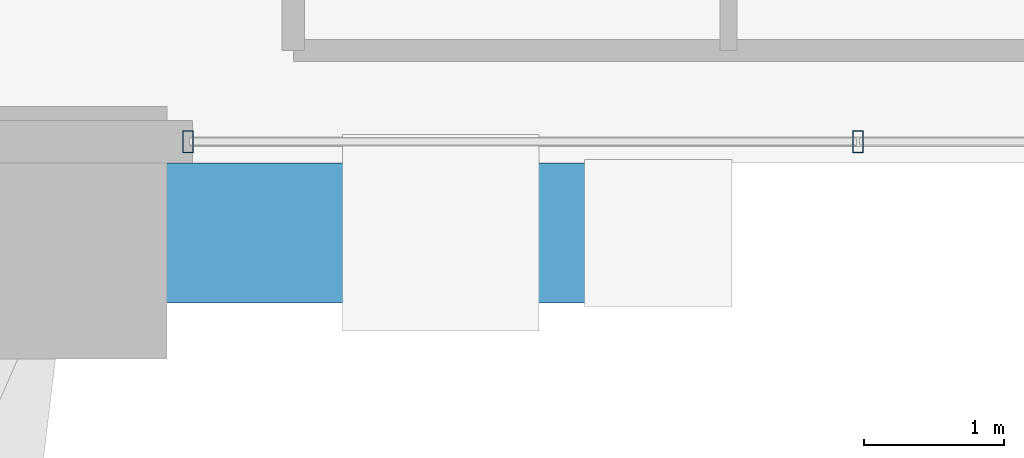
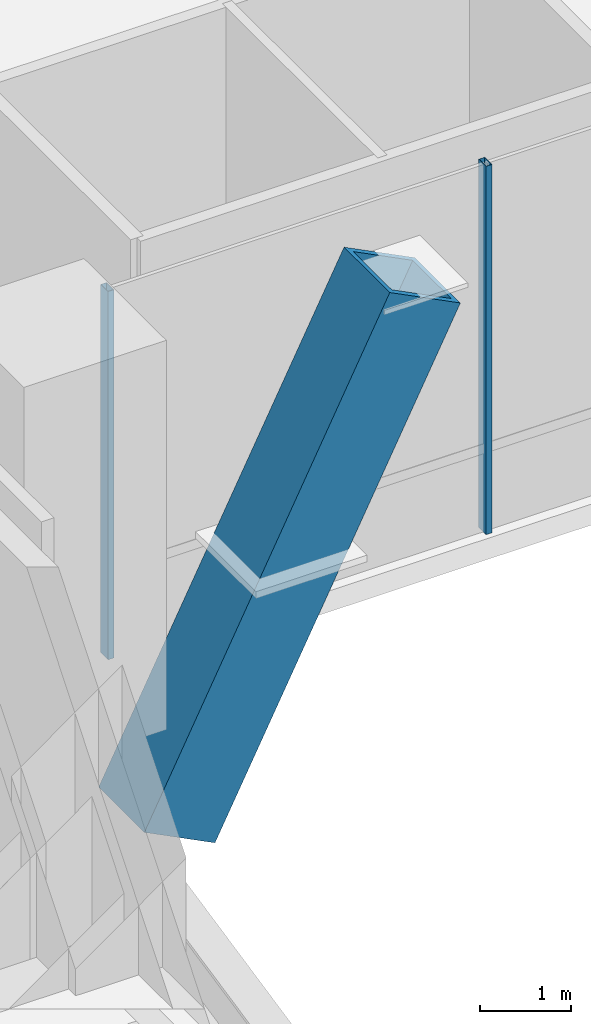
# One storey, part 6 of 39: 3 members, 1 element without a shape of its own.
"""IFC4 building model written with IfcOpenShell, lengths in metres."""

from ifc_helpers import new_model, si_unit, direction, frame, origin, origin_2d, place, context, subcontext, project, spatial, hollow_rectangle, extrude, source, transform, mapped, material, material_profile, profile_set, type_object, element, aggregate, save


model = new_model("IFC4")

# Units and contexts
model_context = context("Model", 3, precision=1e-05, world=origin(), true_north=direction((0.0, 1.0)))
body_context = subcontext(model_context, "Body", "Model", "MODEL_VIEW")
ifc_project = project(units=[si_unit("LENGTHUNIT", "METRE"), si_unit("AREAUNIT", "SQUARE_METRE"), si_unit("VOLUMEUNIT", "CUBIC_METRE"), si_unit("PLANEANGLEUNIT", "RADIAN"), si_unit("MASSUNIT", "GRAM", prefix="KILO")], contexts=[model_context])

# Site, building, storey
site_placement = place(None, origin())
site = spatial("IfcSite", under=ifc_project, at=site_placement, CompositionType="ELEMENT")
building_placement = place(site_placement, origin())
building = spatial("IfcBuilding", under=site, at=building_placement, Name="Valdorenza Pilgrim Sanctuary Tower", CompositionType="ELEMENT")
storey_placement = place(building_placement, frame((0.0, 0.0, 10.39990234375)))
storey = spatial("IfcBuildingStorey", under=building, at=storey_placement, Name="L02", CompositionType="ELEMENT", Elevation=10.39990234375)

# Member
ifc_material_1 = material(Name="Steel ASTM A572 Grade 42", Category="steel")
ifc_material_profile_1 = material_profile(ifc_material_1, hollow_rectangle(XDim=1.0, YDim=1.0, WallThickness=0.080078125, at=origin_2d()), Name="BOX 1000x1000x80")
ifc_profile_set_1 = profile_set([ifc_material_profile_1], Name="Steel ASTM A572 Grade 42")
member_type_1 = type_object("IfcMemberType", Name="STR-MB-ARCH-RIB", PredefinedType="CHORD", material=ifc_profile_set_1)
shared_shape_1 = source(origin(), body_context, "Body", "SweptSolid", [
    extrude(hollow_rectangle(XDim=1.0, YDim=1.0, WallThickness=0.080078125, at=origin_2d()), origin(), (0.0, 0.0, 1.0), 6.86474609375),
])
member_1_placement = place(storey_placement, frame((-9.300048828125, -6.5, -1.824951171875), z_axis=(0.451589695297, 0.0, 0.892225726541), x_axis=(0.0, 1.0, 0.0)))
element("IfcMember", 1, at=member_1_placement, inside=storey, type_object=member_type_1, Name="Parabolic Portal Arch Rib INNER Seg 2", PredefinedType="CHORD", context=body_context, shape_type="MappedRepresentation", body=[
    mapped(shared_shape_1, transform((0.0, 0.0, 0.0), x_axis=(1.0, 0.0, 0.0), y_axis=(0.0, 1.0, 0.0), z_axis=(0.0, 0.0, 1.0), scale=1.0)),
])

# Curtain wall, members
ifc_material_2 = material(Name="Curtain-wall IGU glazing", Category="glass")
curtain_wall_type = type_object("IfcCurtainWallType", Name="CW-SYS-01", PredefinedType="NOTDEFINED", material=ifc_material_2)
curtain_wall_placement = place(storey_placement, origin())
curtain_wall = element("IfcCurtainWall", 2, at=curtain_wall_placement, inside=storey, type_object=curtain_wall_type, Name="L02 Curtain Wall CW-POD-L02-ARCH-BACK", PredefinedType="NOTDEFINED")
ifc_material_3 = material(Name="Anodised aluminium AW-6060", Category="aluminium")
ifc_material_profile_2 = material_profile(ifc_material_3, hollow_rectangle(XDim=0.074951171875, YDim=0.159912109375, WallThickness=0.00390625, at=origin_2d()), Name="ALU-M 160x75x4")
ifc_profile_set_2 = profile_set([ifc_material_profile_2], Name="Anodised aluminium AW-6060")
member_type_2 = type_object("IfcMemberType", Name="CW-MUL-01", PredefinedType="MULLION", material=ifc_profile_set_2)
shared_shape_2 = source(origin(), body_context, "Body", "SweptSolid", [
    extrude(hollow_rectangle(XDim=0.074951171875, YDim=0.159912109375, WallThickness=0.00390625, at=origin_2d()), origin(), (0.0, 0.0, 1.0), 4.920166015625),
])
member_2_placement = place(storey_placement, frame((-9.550048828125, -5.85009765625, 0.0), z_axis=(0.0, 0.0, 1.0), x_axis=(1.0, 0.0, 0.0)))
member_2 = element("IfcMember", 3, at=member_2_placement, type_object=member_type_2, Name="CW-POD-L02-ARCH-BACK Mullion 1", PredefinedType="MULLION", context=body_context, shape_type="MappedRepresentation", body=[
    mapped(shared_shape_2, transform((0.0, 0.0, 0.0), x_axis=(1.0, 0.0, 0.0), y_axis=(0.0, 1.0, 0.0), z_axis=(0.0, 0.0, 1.0), scale=1.0)),
])
member_3_placement = place(storey_placement, frame((-4.77490234375, -5.85009765625, 0.0), z_axis=(0.0, 0.0, 1.0), x_axis=(1.0, 0.0, 0.0)))
member_3 = element("IfcMember", 4, at=member_3_placement, type_object=member_type_2, Name="CW-POD-L02-ARCH-BACK Mullion 2", PredefinedType="MULLION", context=body_context, shape_type="MappedRepresentation", body=[
    mapped(shared_shape_2, transform((0.0, 0.0, 0.0), x_axis=(1.0, 0.0, 0.0), y_axis=(0.0, 1.0, 0.0), z_axis=(0.0, 0.0, 1.0), scale=1.0)),
])
aggregate(curtain_wall, [member_2, member_3])

save(model, "model.ifc")
